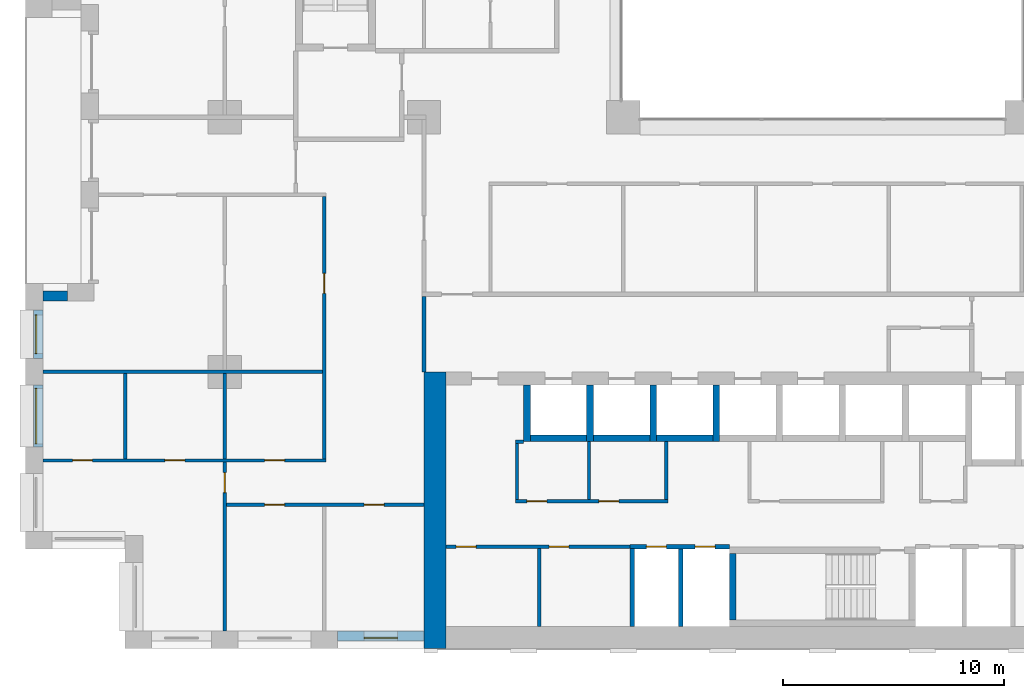
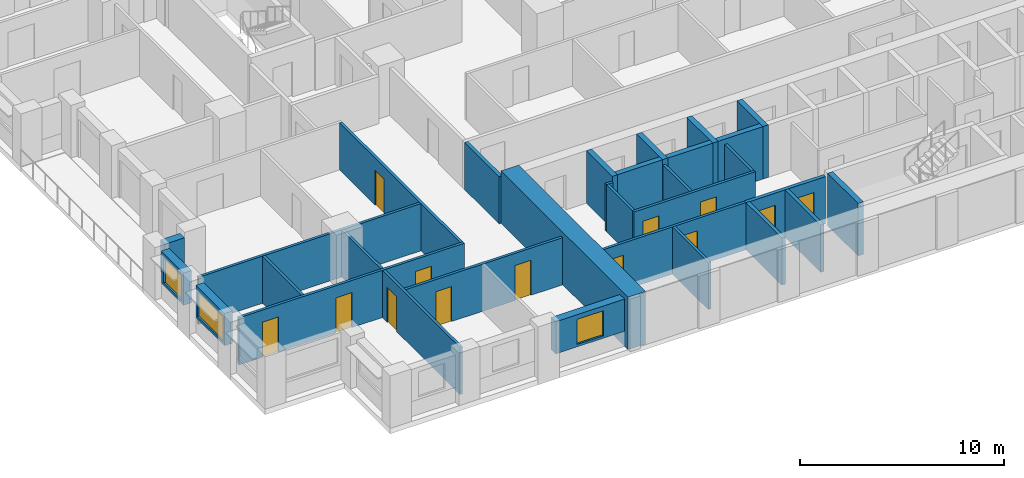
# One storey, part 9 of 19: 31 walls, 13 doors, 3 windows, 16 openings.
"""IFC4 building model written with IfcOpenShell, lengths in metres."""

from ifc_helpers import new_model, si_unit, direction, frame, frame_2d, origin, place, context, subcontext, project, spatial, rectangle, extrude, material, layer, layer_set, type_object, element, fill, save


model = new_model("IFC4")

# Units and contexts
model_context = context("Model", 3, precision=1e-05, world=origin(), true_north=direction((0.0, 1.0)))
body_context = subcontext(model_context, "Body", "Model", "MODEL_VIEW")
ifc_project = project(units=[si_unit("LENGTHUNIT", "METRE"), si_unit("AREAUNIT", "SQUARE_METRE"), si_unit("VOLUMEUNIT", "CUBIC_METRE"), si_unit("PLANEANGLEUNIT", "RADIAN"), si_unit("MASSUNIT", "GRAM", prefix="KILO")], contexts=[model_context])

# Site, building, storey
site_placement = place(None, origin())
site = spatial("IfcSite", under=ifc_project, at=site_placement, CompositionType="ELEMENT")
building_placement = place(site_placement, origin())
building = spatial("IfcBuilding", under=site, at=building_placement, Name="Brigalow Station Residences", CompositionType="ELEMENT")
storey_placement = place(building_placement, frame((0.0, 0.0, 19.5)))
storey = spatial("IfcBuildingStorey", under=building, at=storey_placement, Name="L04", CompositionType="ELEMENT", Elevation=19.5)

# Wall, opening, window
ifc_material_1 = material(Name="Clay brick masonry", Category="masonry")
ifc_layer_1 = layer(ifc_material_1, 0.449951171875)
ifc_layer_set_1 = layer_set([ifc_layer_1], Name="BRICK INFILL WALL 450")
wall_type_1 = type_object("IfcWallType", Name="BRICK INFILL WALL 450", PredefinedType="SOLIDWALL", material=ifc_layer_set_1)
wall_1_placement = place(storey_placement, frame((14.10009765625, 0.574951171875, 0.89990234375), z_axis=(0.0, 0.0, 1.0), x_axis=(1.0, 0.0, 0.0)))
wall_1 = element("IfcWall", 1, at=wall_1_placement, inside=storey, type_object=wall_type_1, Name="L04/ewall/W-L04-3", PredefinedType="SOLIDWALL", context=body_context, shape_type="SweptSolid", body=[
    extrude(rectangle(XDim=3.89990234375, YDim=0.449951171875, at=frame_2d((1.949951171875, 0.0))), origin(), (0.0, 0.0, 1.0), 1.93017578125),
])
opening_1_placement = place(wall_1_placement, frame((1.199951171875, 0.0, 0.14990234375)))
opening_1 = element("IfcOpeningElement", 2, at=opening_1_placement, cuts=wall_1, Name="Opening WT-1", PredefinedType="OPENING", context=body_context, shape_type="SweptSolid", body=[
    extrude(rectangle(XDim=1.5, YDim=1.5, at=frame_2d((0.75, 0.75))), frame((0.0, 0.23486328125, 0.0), z_axis=(0.0, -1.0, 0.0), x_axis=(1.0, 0.0, 0.0)), (0.0, 0.0, 1.0), 0.469970703125),
])
ifc_material_2 = material(Name="Anodised aluminium frame with double glazing", Category="aluminium")
window_type_1 = type_object("IfcWindowType", Name="WINDOW 1500x1500", PartitioningType="SINGLE_PANEL", PredefinedType="WINDOW", material=ifc_material_2)
window_1_placement = place(opening_1_placement, origin())
window_1 = element("IfcWindow", 3, at=window_1_placement, inside=storey, type_object=window_type_1, Name="L04/window/W-L04-3", OverallHeight=1.5, OverallWidth=1.5, PartitioningType="SINGLE_PANEL", PredefinedType="WINDOW", context=body_context, shape_type="SweptSolid", body=[
    extrude(rectangle(XDim=1.5, YDim=1.5, at=frame_2d((0.75, 0.75))), frame((0.0, -0.06494140625, 0.0), z_axis=(0.0, -1.0, 0.0), x_axis=(1.0, 0.0, 0.0)), (0.0, 0.0, 1.0), 0.06005859375),
])
fill(opening_1, window_1)

# Wall
wall_2_placement = place(storey_placement, frame((1.89990234375, 15.925048828125, 0.89990234375), z_axis=(0.0, 0.0, 1.0), x_axis=(-1.0, 0.0, 0.0)))
element("IfcWall", 4, at=wall_2_placement, inside=storey, type_object=wall_type_1, Name="L04/ewall/W-L04-50", PredefinedType="SOLIDWALL", context=body_context, shape_type="SweptSolid", body=[
    extrude(rectangle(XDim=1.099853515625, YDim=0.449951171875, at=frame_2d((0.5498046875, 0.0))), origin(), (0.0, 0.0, 1.0), 1.93017578125),
])

# Wall, opening, window
wall_3_placement = place(storey_placement, frame((0.574951171875, 15.300048828125, 0.89990234375), z_axis=(0.0, 0.0, 1.0), x_axis=(0.0, -1.0, 0.0)))
wall_3 = element("IfcWall", 5, at=wall_3_placement, inside=storey, type_object=wall_type_1, Name="L04/ewall/W-L04-51", PredefinedType="SOLIDWALL", context=body_context, shape_type="SweptSolid", body=[
    extrude(rectangle(XDim=2.199951171875, YDim=0.449951171875, at=frame_2d((1.10009765625, 0.0))), origin(), (0.0, 0.0, 1.0), 1.93017578125),
])
opening_2_placement = place(wall_3_placement, frame((0.22509765625, 0.0, 0.14990234375)))
opening_2 = element("IfcOpeningElement", 6, at=opening_2_placement, cuts=wall_3, Name="Opening WT-4", PredefinedType="OPENING", context=body_context, shape_type="SweptSolid", body=[
    extrude(rectangle(XDim=1.75, YDim=1.5, at=frame_2d((0.875, 0.75))), frame((0.0, 0.23486328125, 0.0), z_axis=(0.0, -1.0, 0.0), x_axis=(1.0, 0.0, 0.0)), (0.0, 0.0, 1.0), 0.469970703125),
])
ifc_material_3 = material(Name="Anodised aluminium frame with double glazing", Category="aluminium")
window_type_2 = type_object("IfcWindowType", Name="WINDOW 1750x1500", PartitioningType="SINGLE_PANEL", PredefinedType="WINDOW", material=ifc_material_3)
window_2_placement = place(opening_2_placement, origin())
window_2 = element("IfcWindow", 7, at=window_2_placement, inside=storey, type_object=window_type_2, Name="L04/window/W-L04-51", OverallHeight=1.5, OverallWidth=1.75, PartitioningType="SINGLE_PANEL", PredefinedType="WINDOW", context=body_context, shape_type="SweptSolid", body=[
    extrude(rectangle(XDim=1.75, YDim=1.5, at=frame_2d((0.875, 0.75))), frame((0.0, -0.06494140625, 0.0), z_axis=(0.0, -1.0, 0.0), x_axis=(1.0, 0.0, 0.0)), (0.0, 0.0, 1.0), 0.06005859375),
])
fill(opening_2, window_2)

wall_4_placement = place(storey_placement, frame((0.574951171875, 11.89990234375, 0.89990234375), z_axis=(0.0, 0.0, 1.0), x_axis=(0.0, -1.0, 0.0)))
wall_4 = element("IfcWall", 8, at=wall_4_placement, inside=storey, type_object=wall_type_1, Name="L04/ewall/W-L04-52", PredefinedType="SOLIDWALL", context=body_context, shape_type="SweptSolid", body=[
    extrude(rectangle(XDim=2.7998046875, YDim=0.449951171875, at=frame_2d((1.39990234375, 0.0))), origin(), (0.0, 0.0, 1.0), 1.93017578125),
])
opening_3_placement = place(wall_4_placement, frame((0.14990234375, 0.0, 0.14990234375)))
opening_3 = element("IfcOpeningElement", 9, at=opening_3_placement, cuts=wall_4, Name="Opening WT-5", PredefinedType="OPENING", context=body_context, shape_type="SweptSolid", body=[
    extrude(rectangle(XDim=2.5, YDim=1.5, at=frame_2d((1.25, 0.75))), frame((0.0, 0.23486328125, 0.0), z_axis=(0.0, -1.0, 0.0), x_axis=(1.0, 0.0, 0.0)), (0.0, 0.0, 1.0), 0.469970703125),
])
ifc_material_4 = material(Name="Anodised aluminium frame with double glazing", Category="aluminium")
window_type_3 = type_object("IfcWindowType", Name="WINDOW 2500x1500", PartitioningType="SINGLE_PANEL", PredefinedType="WINDOW", material=ifc_material_4)
window_3_placement = place(opening_3_placement, origin())
window_3 = element("IfcWindow", 10, at=window_3_placement, inside=storey, type_object=window_type_3, Name="L04/window/W-L04-52", OverallHeight=1.5, OverallWidth=2.5, PartitioningType="SINGLE_PANEL", PredefinedType="WINDOW", context=body_context, shape_type="SweptSolid", body=[
    extrude(rectangle(XDim=2.5, YDim=1.5, at=frame_2d((1.25, 0.75))), frame((0.0, -0.06494140625, 0.0), z_axis=(0.0, -1.0, 0.0), x_axis=(1.0, 0.0, 0.0)), (0.0, 0.0, 1.0), 0.06005859375),
])
fill(opening_3, window_3)

# Walls
ifc_material_5 = material(Name="Concrete C80", Category="concrete")
ifc_layer_2 = layer(ifc_material_5, 1.0)
ifc_layer_set_2 = layer_set([ifc_layer_2], Name="CORE SHEAR WALL 1000 C80")
wall_type_2 = type_object("IfcWallType", Name="CORE SHEAR WALL 1000 C80", PredefinedType="SHEAR", material=ifc_layer_set_2)
wall_5_placement = place(storey_placement, frame((18.5, 0.0, 0.0), z_axis=(0.0, 0.0, 1.0), x_axis=(0.0, 1.0, 0.0)))
element("IfcWall", 11, at=wall_5_placement, inside=storey, type_object=wall_type_2, Name="CORE WALL OUT-W L04", PredefinedType="SHEAR", context=body_context, shape_type="SweptSolid", body=[
    extrude(rectangle(XDim=12.5, YDim=1.0, at=frame_2d((6.25, 0.0))), origin(), (0.0, 0.0, 1.0), 3.14990234375),
])
ifc_material_6 = material(Name="Concrete C80", Category="concrete")
ifc_layer_3 = layer(ifc_material_6, 0.300048828125)
ifc_layer_set_3 = layer_set([ifc_layer_3], Name="CORE SHEAR WALL 300 C80")
wall_type_3 = type_object("IfcWallType", Name="CORE SHEAR WALL 300 C80", PredefinedType="SHEAR", material=ifc_layer_set_3)
wall_6_placement = place(storey_placement, frame((22.800048828125, 9.5, 0.0), z_axis=(0.0, 0.0, 1.0), x_axis=(1.0, 0.0, 0.0)))
element("IfcWall", 12, at=wall_6_placement, inside=storey, type_object=wall_type_3, Name="CORE WALL SH-P1-S L04", PredefinedType="SHEAR", context=body_context, shape_type="SweptSolid", body=[
    extrude(rectangle(XDim=2.550048828125, YDim=0.300048828125, at=frame_2d((1.27490234375, 0.0))), origin(), (0.0, 0.0, 1.0), 3.14990234375),
])
wall_7_placement = place(storey_placement, frame((22.64990234375, 9.35009765625, 0.0), z_axis=(0.0, 0.0, 1.0), x_axis=(0.0, 1.0, 0.0)))
element("IfcWall", 13, at=wall_7_placement, inside=storey, type_object=wall_type_3, Name="CORE WALL SH-P1-W L04", PredefinedType="SHEAR", context=body_context, shape_type="SweptSolid", body=[
    extrude(rectangle(XDim=2.5498046875, YDim=0.300048828125, at=frame_2d((1.27490234375, 0.0))), origin(), (0.0, 0.0, 1.0), 3.14990234375),
])
wall_8_placement = place(storey_placement, frame((25.64990234375, 9.5, 0.0), z_axis=(0.0, 0.0, 1.0), x_axis=(1.0, 0.0, 0.0)))
element("IfcWall", 14, at=wall_8_placement, inside=storey, type_object=wall_type_3, Name="CORE WALL SH-P2-S L04", PredefinedType="SHEAR", context=body_context, shape_type="SweptSolid", body=[
    extrude(rectangle(XDim=2.550048828125, YDim=0.300048828125, at=frame_2d((1.27490234375, 0.0))), origin(), (0.0, 0.0, 1.0), 3.14990234375),
])
wall_9_placement = place(storey_placement, frame((25.5, 9.35009765625, 0.0), z_axis=(0.0, 0.0, 1.0), x_axis=(0.0, 1.0, 0.0)))
element("IfcWall", 15, at=wall_9_placement, inside=storey, type_object=wall_type_3, Name="CORE WALL SH-P2-W L04", PredefinedType="SHEAR", context=body_context, shape_type="SweptSolid", body=[
    extrude(rectangle(XDim=2.5498046875, YDim=0.300048828125, at=frame_2d((1.27490234375, 0.0))), origin(), (0.0, 0.0, 1.0), 3.14990234375),
])
wall_10_placement = place(storey_placement, frame((28.5, 9.5, 0.0), z_axis=(0.0, 0.0, 1.0), x_axis=(1.0, 0.0, 0.0)))
element("IfcWall", 16, at=wall_10_placement, inside=storey, type_object=wall_type_3, Name="CORE WALL SH-P3-S L04", PredefinedType="SHEAR", context=body_context, shape_type="SweptSolid", body=[
    extrude(rectangle(XDim=2.550048828125, YDim=0.300048828125, at=frame_2d((1.27490234375, 0.0))), origin(), (0.0, 0.0, 1.0), 3.14990234375),
])
for number, where, z_axis, x_axis, name in (
    (17, (28.35009765625, 9.35009765625, 0.0), (0.0, 0.0, 1.0), (0.0, 1.0, 0.0), "CORE WALL SH-P3-W L04"),
    (18, (31.199951171875, 9.35009765625, 0.0), (0.0, 0.0, 1.0), (0.0, 1.0, 0.0), "CORE WALL SH-P4-W L04"),
):
    element("IfcWall", number, at=place(storey_placement, frame(where, z_axis=z_axis, x_axis=x_axis)), inside=storey, type_object=wall_type_3, Name=name, PredefinedType="SHEAR", context=body_context, shape_type="SweptSolid", body=[
        extrude(rectangle(XDim=2.5498046875, YDim=0.300048828125, at=frame_2d((1.27490234375, 0.0))), origin(), (0.0, 0.0, 1.0), 3.14990234375),
    ])
wall_11_placement = place(storey_placement, frame((31.949951171875, 1.300048828125, 0.0), z_axis=(0.0, 0.0, 1.0), x_axis=(0.0, 1.0, 0.0)))
element("IfcWall", 19, at=wall_11_placement, inside=storey, type_object=wall_type_3, Name="CORE WALL ST-S2-W L04", PredefinedType="SHEAR", context=body_context, shape_type="SweptSolid", body=[
    extrude(rectangle(XDim=3.0, YDim=0.300048828125, at=frame_2d((1.5, 0.0))), origin(), (0.0, 0.0, 1.0), 3.14990234375),
])

# Wall, openings, doors
ifc_material_7 = material(Name="Concrete blockwork", Category="masonry")
ifc_layer_4 = layer(ifc_material_7, 0.199951171875)
ifc_layer_set_4 = layer_set([ifc_layer_4], Name="FIRE RATED CORE PARTITION 200")
wall_type_4 = type_object("IfcWallType", Name="FIRE RATED CORE PARTITION 200", PredefinedType="PARTITIONING", material=ifc_layer_set_4)
wall_12_placement = place(storey_placement, frame((27.300048828125, 4.60009765625, 0.0), z_axis=(0.0, 0.0, 1.0), x_axis=(1.0, 0.0, 0.0)))
wall_12 = element("IfcWall", 20, at=wall_12_placement, inside=storey, type_object=wall_type_4, Name="PW-5017", PredefinedType="PARTITIONING", context=body_context, shape_type="SweptSolid", body=[
    extrude(rectangle(XDim=4.5, YDim=0.199951171875, at=frame_2d((2.25, 0.0))), origin(), (0.0, 0.0, 1.0), 2.830078125),
])
opening_4_placement = place(wall_12_placement, frame((0.75, 0.0, 0.0)))
opening_4 = element("IfcOpeningElement", 21, at=opening_4_placement, cuts=wall_12, Name="Opening D-5007", PredefinedType="OPENING", context=body_context, shape_type="SweptSolid", body=[
    extrude(rectangle(XDim=0.89990234375, YDim=2.10009765625, at=frame_2d((0.449951171875, 1.050048828125))), frame((0.0, 0.10986328125, 0.0), z_axis=(0.0, -1.0, 0.0), x_axis=(1.0, 0.0, 0.0)), (0.0, 0.0, 1.0), 0.219970703125),
])
opening_5_placement = place(wall_12_placement, frame((2.949951171875, 0.0, 0.0)))
opening_5 = element("IfcOpeningElement", 22, at=opening_5_placement, cuts=wall_12, Name="Opening D-5008", PredefinedType="OPENING", context=body_context, shape_type="SweptSolid", body=[
    extrude(rectangle(XDim=0.89990234375, YDim=2.10009765625, at=frame_2d((0.449951171875, 1.050048828125))), frame((0.0, 0.10986328125, 0.0), z_axis=(0.0, -1.0, 0.0), x_axis=(1.0, 0.0, 0.0)), (0.0, 0.0, 1.0), 0.219970703125),
])
ifc_material_8 = material(Name="Steel fire door leaf in steel frame", Category="steel")
door_type_1 = type_object("IfcDoorType", Name="RISER ACCESS DOOR 900 x 2100 FD120", OperationType="SINGLE_SWING_LEFT", PredefinedType="DOOR", material=ifc_material_8)
door_1_placement = place(opening_4_placement, frame((0.89990234375, 0.0, 0.0), z_axis=(0.0, 0.0, 1.0), x_axis=(-1.0, 0.0, 0.0)))
door_1 = element("IfcDoor", 23, at=door_1_placement, inside=storey, type_object=door_type_1, Name="D-5007", OperationType="SINGLE_SWING_RIGHT", OverallHeight=2.10009765625, OverallWidth=0.89990234375, PredefinedType="DOOR", context=body_context, shape_type="SweptSolid", body=[
    extrude(rectangle(XDim=0.89990234375, YDim=2.10009765625, at=frame_2d((0.449951171875, 1.050048828125))), frame((0.0, 0.02490234375, 0.0), z_axis=(0.0, -1.0, 0.0), x_axis=(1.0, 0.0, 0.0)), (0.0, 0.0, 1.0), 0.050048828125),
])
fill(opening_4, door_1)
door_2_placement = place(opening_5_placement, frame((0.89990234375, 0.0, 0.0), z_axis=(0.0, 0.0, 1.0), x_axis=(-1.0, 0.0, 0.0)))
door_2 = element("IfcDoor", 24, at=door_2_placement, inside=storey, type_object=door_type_1, Name="D-5008", OperationType="SINGLE_SWING_RIGHT", OverallHeight=2.10009765625, OverallWidth=0.89990234375, PredefinedType="DOOR", context=body_context, shape_type="SweptSolid", body=[
    extrude(rectangle(XDim=0.89990234375, YDim=2.10009765625, at=frame_2d((0.449951171875, 1.050048828125))), frame((0.0, 0.02490234375, 0.0), z_axis=(0.0, -1.0, 0.0), x_axis=(1.0, 0.0, 0.0)), (0.0, 0.0, 1.0), 0.050048828125),
])
fill(opening_5, door_2)

# Walls
wall_13_placement = place(storey_placement, frame((27.39990234375, 1.0, 0.0), z_axis=(0.0, 0.0, 1.0), x_axis=(0.0, 1.0, 0.0)))
element("IfcWall", 25, at=wall_13_placement, inside=storey, type_object=wall_type_4, Name="PW-5027", PredefinedType="PARTITIONING", context=body_context, shape_type="SweptSolid", body=[
    extrude(rectangle(XDim=3.52490234375, YDim=0.199951171875, at=frame_2d((1.762451171875, 0.0))), origin(), (0.0, 0.0, 1.0), 2.830078125),
])
wall_14_placement = place(storey_placement, frame((29.60009765625, 1.0, 0.0), z_axis=(0.0, 0.0, 1.0), x_axis=(0.0, 1.0, 0.0)))
element("IfcWall", 26, at=wall_14_placement, inside=storey, type_object=wall_type_4, Name="PW-5006", PredefinedType="PARTITIONING", context=body_context, shape_type="SweptSolid", body=[
    extrude(rectangle(XDim=3.5, YDim=0.199951171875, at=frame_2d((1.75, 0.0))), origin(), (0.0, 0.0, 1.0), 2.830078125),
])
wall_15_placement = place(storey_placement, frame((18.0, 12.5, 0.0), z_axis=(0.0, 0.0, 1.0), x_axis=(0.0, 1.0, 0.0)))
element("IfcWall", 27, at=wall_15_placement, inside=storey, type_object=wall_type_4, Name="PW-5013", PredefinedType="PARTITIONING", context=body_context, shape_type="SweptSolid", body=[
    extrude(rectangle(XDim=3.39990234375, YDim=0.199951171875, at=frame_2d((1.699951171875, 0.0))), origin(), (0.0, 0.0, 1.0), 2.830078125),
])

# Wall, openings, doors
ifc_material_9 = material(Name="Plasterboard on steel stud partition", Category="steel")
ifc_layer_5 = layer(ifc_material_9, 0.14990234375)
ifc_layer_set_5 = layer_set([ifc_layer_5], Name="FLAT PARTITION 150")
wall_type_5 = type_object("IfcWallType", Name="FLAT PARTITION 150", PredefinedType="PARTITIONING", material=ifc_layer_set_5)
wall_16_placement = place(storey_placement, frame((0.800048828125, 8.5, 0.0), z_axis=(0.0, 0.0, 1.0), x_axis=(1.0, 0.0, 0.0)))
wall_16 = element("IfcWall", 28, at=wall_16_placement, inside=storey, type_object=wall_type_5, Name="PW-1A09", PredefinedType="PARTITIONING", context=body_context, shape_type="SweptSolid", body=[
    extrude(rectangle(XDim=12.77490234375, YDim=0.14990234375, at=frame_2d((6.387451171875, 0.0))), origin(), (0.0, 0.0, 1.0), 2.830078125),
])
opening_6_placement = place(wall_16_placement, frame((10.0, 0.0, 0.0)))
opening_6 = element("IfcOpeningElement", 29, at=opening_6_placement, cuts=wall_16, Name="Opening D-1A05", PredefinedType="OPENING", context=body_context, shape_type="SweptSolid", body=[
    extrude(rectangle(XDim=0.89990234375, YDim=2.10009765625, at=frame_2d((0.449951171875, 1.050048828125))), frame((0.0, 0.0849609375, 0.0), z_axis=(0.0, -1.0, 0.0), x_axis=(1.0, 0.0, 0.0)), (0.0, 0.0, 1.0), 0.169921875),
])
opening_7_placement = place(wall_16_placement, frame((1.324951171875, 0.0, 0.0)))
opening_7 = element("IfcOpeningElement", 30, at=opening_7_placement, cuts=wall_16, Name="Opening D-1A07", PredefinedType="OPENING", context=body_context, shape_type="SweptSolid", body=[
    extrude(rectangle(XDim=0.89990234375, YDim=2.10009765625, at=frame_2d((0.449951171875, 1.050048828125))), frame((0.0, 0.0849609375, 0.0), z_axis=(0.0, -1.0, 0.0), x_axis=(1.0, 0.0, 0.0)), (0.0, 0.0, 1.0), 0.169921875),
])
opening_8_placement = place(wall_16_placement, frame((5.5, 0.0, 0.0)))
opening_8 = element("IfcOpeningElement", 31, at=opening_8_placement, cuts=wall_16, Name="Opening D-1A08", PredefinedType="OPENING", context=body_context, shape_type="SweptSolid", body=[
    extrude(rectangle(XDim=0.89990234375, YDim=2.10009765625, at=frame_2d((0.449951171875, 1.050048828125))), frame((0.0, 0.0849609375, 0.0), z_axis=(0.0, -1.0, 0.0), x_axis=(1.0, 0.0, 0.0)), (0.0, 0.0, 1.0), 0.169921875),
])
ifc_material_10 = material(Name="Solid-core timber door leaf", Category="wood")
door_type_2 = type_object("IfcDoorType", Name="INTERNAL DOOR 900 x 2100", OperationType="SINGLE_SWING_LEFT", PredefinedType="DOOR", material=ifc_material_10)
door_3_placement = place(opening_6_placement, origin())
door_3 = element("IfcDoor", 32, at=door_3_placement, inside=storey, type_object=door_type_2, Name="D-1A05", OperationType="SINGLE_SWING_LEFT", OverallHeight=2.10009765625, OverallWidth=0.89990234375, PredefinedType="DOOR", context=body_context, shape_type="SweptSolid", body=[
    extrude(rectangle(XDim=0.89990234375, YDim=2.10009765625, at=frame_2d((0.449951171875, 1.050048828125))), frame((0.0, 0.02490234375, 0.0), z_axis=(0.0, -1.0, 0.0), x_axis=(1.0, 0.0, 0.0)), (0.0, 0.0, 1.0), 0.050048828125),
])
fill(opening_6, door_3)
door_4_placement = place(opening_7_placement, origin())
door_4 = element("IfcDoor", 33, at=door_4_placement, inside=storey, type_object=door_type_2, Name="D-1A07", OperationType="SINGLE_SWING_LEFT", OverallHeight=2.10009765625, OverallWidth=0.89990234375, PredefinedType="DOOR", context=body_context, shape_type="SweptSolid", body=[
    extrude(rectangle(XDim=0.89990234375, YDim=2.10009765625, at=frame_2d((0.449951171875, 1.050048828125))), frame((0.0, 0.02490234375, 0.0), z_axis=(0.0, -1.0, 0.0), x_axis=(1.0, 0.0, 0.0)), (0.0, 0.0, 1.0), 0.050048828125),
])
fill(opening_7, door_4)
door_5_placement = place(opening_8_placement, origin())
door_5 = element("IfcDoor", 34, at=door_5_placement, inside=storey, type_object=door_type_2, Name="D-1A08", OperationType="SINGLE_SWING_RIGHT", OverallHeight=2.10009765625, OverallWidth=0.89990234375, PredefinedType="DOOR", context=body_context, shape_type="SweptSolid", body=[
    extrude(rectangle(XDim=0.89990234375, YDim=2.10009765625, at=frame_2d((0.449951171875, 1.050048828125))), frame((0.0, 0.02490234375, 0.0), z_axis=(0.0, -1.0, 0.0), x_axis=(1.0, 0.0, 0.0)), (0.0, 0.0, 1.0), 0.050048828125),
])
fill(opening_8, door_5)

# Wall
wall_17_placement = place(storey_placement, frame((0.800048828125, 12.5, 0.0), z_axis=(0.0, 0.0, 1.0), x_axis=(1.0, 0.0, 0.0)))
element("IfcWall", 35, at=wall_17_placement, inside=storey, type_object=wall_type_5, Name="PW-1A11", PredefinedType="PARTITIONING", context=body_context, shape_type="SweptSolid", body=[
    extrude(rectangle(XDim=12.625, YDim=0.14990234375, at=frame_2d((6.3125, 0.0))), origin(), (0.0, 0.0, 1.0), 2.830078125),
])

# Wall, openings, doors
wall_18_placement = place(storey_placement, frame((9.074951171875, 6.5, 0.0), z_axis=(0.0, 0.0, 1.0), x_axis=(1.0, 0.0, 0.0)))
wall_18 = element("IfcWall", 36, at=wall_18_placement, inside=storey, type_object=wall_type_5, Name="PW-1A13", PredefinedType="PARTITIONING", context=body_context, shape_type="SweptSolid", body=[
    extrude(rectangle(XDim=8.925048828125, YDim=0.14990234375, at=frame_2d((4.46240234375, 0.0))), origin(), (0.0, 0.0, 1.0), 2.830078125),
])
opening_9_placement = place(wall_18_placement, frame((1.72509765625, 0.0, 0.0)))
opening_9 = element("IfcOpeningElement", 37, at=opening_9_placement, cuts=wall_18, Name="Opening D-1A03", PredefinedType="OPENING", context=body_context, shape_type="SweptSolid", body=[
    extrude(rectangle(XDim=0.89990234375, YDim=2.10009765625, at=frame_2d((0.449951171875, 1.050048828125))), frame((0.0, 0.0849609375, 0.0), z_axis=(0.0, -1.0, 0.0), x_axis=(1.0, 0.0, 0.0)), (0.0, 0.0, 1.0), 0.169921875),
])
opening_10_placement = place(wall_18_placement, frame((6.22509765625, 0.0, 0.0)))
opening_10 = element("IfcOpeningElement", 38, at=opening_10_placement, cuts=wall_18, Name="Opening D-1A04", PredefinedType="OPENING", context=body_context, shape_type="SweptSolid", body=[
    extrude(rectangle(XDim=0.89990234375, YDim=2.10009765625, at=frame_2d((0.449951171875, 1.050048828125))), frame((0.0, 0.0849609375, 0.0), z_axis=(0.0, -1.0, 0.0), x_axis=(1.0, 0.0, 0.0)), (0.0, 0.0, 1.0), 0.169921875),
])
door_6_placement = place(opening_9_placement, frame((0.89990234375, 0.0, 0.0), z_axis=(0.0, 0.0, 1.0), x_axis=(-1.0, 0.0, 0.0)))
door_6 = element("IfcDoor", 39, at=door_6_placement, inside=storey, type_object=door_type_2, Name="D-1A03", OperationType="SINGLE_SWING_LEFT", OverallHeight=2.10009765625, OverallWidth=0.89990234375, PredefinedType="DOOR", context=body_context, shape_type="SweptSolid", body=[
    extrude(rectangle(XDim=0.89990234375, YDim=2.10009765625, at=frame_2d((0.449951171875, 1.050048828125))), frame((0.0, 0.02490234375, 0.0), z_axis=(0.0, -1.0, 0.0), x_axis=(1.0, 0.0, 0.0)), (0.0, 0.0, 1.0), 0.050048828125),
])
fill(opening_9, door_6)
door_7_placement = place(opening_10_placement, frame((0.89990234375, 0.0, 0.0), z_axis=(0.0, 0.0, 1.0), x_axis=(-1.0, 0.0, 0.0)))
door_7 = element("IfcDoor", 40, at=door_7_placement, inside=storey, type_object=door_type_2, Name="D-1A04", OperationType="SINGLE_SWING_RIGHT", OverallHeight=2.10009765625, OverallWidth=0.89990234375, PredefinedType="DOOR", context=body_context, shape_type="SweptSolid", body=[
    extrude(rectangle(XDim=0.89990234375, YDim=2.10009765625, at=frame_2d((0.449951171875, 1.050048828125))), frame((0.0, 0.02490234375, 0.0), z_axis=(0.0, -1.0, 0.0), x_axis=(1.0, 0.0, 0.0)), (0.0, 0.0, 1.0), 0.050048828125),
])
fill(opening_10, door_7)

# Wall, opening, door
wall_19_placement = place(storey_placement, frame((9.0, 0.800048828125, 0.0), z_axis=(0.0, 0.0, 1.0), x_axis=(0.0, 1.0, 0.0)))
wall_19 = element("IfcWall", 41, at=wall_19_placement, inside=storey, type_object=wall_type_5, Name="PW-1A46", PredefinedType="PARTITIONING", context=body_context, shape_type="SweptSolid", body=[
    extrude(rectangle(XDim=7.625, YDim=0.14990234375, at=frame_2d((3.8125, 0.0))), origin(), (0.0, 0.0, 1.0), 2.830078125),
])
opening_11_placement = place(wall_19_placement, frame((6.25, 0.0, 0.0)))
opening_11 = element("IfcOpeningElement", 42, at=opening_11_placement, cuts=wall_19, Name="Opening D-1A06", PredefinedType="OPENING", context=body_context, shape_type="SweptSolid", body=[
    extrude(rectangle(XDim=0.89990234375, YDim=2.10009765625, at=frame_2d((0.449951171875, 1.050048828125))), frame((0.0, 0.0849609375, 0.0), z_axis=(0.0, -1.0, 0.0), x_axis=(1.0, 0.0, 0.0)), (0.0, 0.0, 1.0), 0.169921875),
])
door_8_placement = place(opening_11_placement, origin())
door_8 = element("IfcDoor", 43, at=door_8_placement, inside=storey, type_object=door_type_2, Name="D-1A06", OperationType="SINGLE_SWING_RIGHT", OverallHeight=2.10009765625, OverallWidth=0.89990234375, PredefinedType="DOOR", context=body_context, shape_type="SweptSolid", body=[
    extrude(rectangle(XDim=0.89990234375, YDim=2.10009765625, at=frame_2d((0.449951171875, 1.050048828125))), frame((0.0, 0.02490234375, 0.0), z_axis=(0.0, -1.0, 0.0), x_axis=(1.0, 0.0, 0.0)), (0.0, 0.0, 1.0), 0.050048828125),
])
fill(opening_11, door_8)

# Walls
for number, where, z_axis, x_axis, name in (
    (44, (9.0, 8.574951171875, 0.0), (0.0, 0.0, 1.0), (0.0, 1.0, 0.0), "PW-1A47"),
    (45, (4.5, 8.574951171875, 0.0), (0.0, 0.0, 1.0), (0.0, 1.0, 0.0), "PW-1A51"),
):
    element("IfcWall", number, at=place(storey_placement, frame(where, z_axis=z_axis, x_axis=x_axis)), inside=storey, type_object=wall_type_5, Name=name, PredefinedType="PARTITIONING", context=body_context, shape_type="SweptSolid", body=[
        extrude(rectangle(XDim=3.85009765625, YDim=0.14990234375, at=frame_2d((1.925048828125, 0.0))), origin(), (0.0, 0.0, 1.0), 2.830078125),
    ])

# Wall, opening, door
wall_20_placement = place(storey_placement, frame((13.5, 8.574951171875, 0.0), z_axis=(0.0, 0.0, 1.0), x_axis=(0.0, 1.0, 0.0)))
wall_20 = element("IfcWall", 46, at=wall_20_placement, inside=storey, type_object=wall_type_5, Name="PW-1A54", PredefinedType="PARTITIONING", context=body_context, shape_type="SweptSolid", body=[
    extrude(rectangle(XDim=11.85009765625, YDim=0.14990234375, at=frame_2d((5.925048828125, 0.0))), origin(), (0.0, 0.0, 1.0), 2.830078125),
])
opening_12_placement = place(wall_20_placement, frame((7.47509765625, 0.0, 0.0)))
opening_12 = element("IfcOpeningElement", 47, at=opening_12_placement, cuts=wall_20, Name="Opening D-1A09", PredefinedType="OPENING", context=body_context, shape_type="SweptSolid", body=[
    extrude(rectangle(XDim=0.89990234375, YDim=2.10009765625, at=frame_2d((0.449951171875, 1.050048828125))), frame((0.0, 0.0849609375, 0.0), z_axis=(0.0, -1.0, 0.0), x_axis=(1.0, 0.0, 0.0)), (0.0, 0.0, 1.0), 0.169921875),
])
door_9_placement = place(opening_12_placement, origin())
door_9 = element("IfcDoor", 48, at=door_9_placement, inside=storey, type_object=door_type_2, Name="D-1A09", OperationType="SINGLE_SWING_RIGHT", OverallHeight=2.10009765625, OverallWidth=0.89990234375, PredefinedType="DOOR", context=body_context, shape_type="SweptSolid", body=[
    extrude(rectangle(XDim=0.89990234375, YDim=2.10009765625, at=frame_2d((0.449951171875, 1.050048828125))), frame((0.0, 0.02490234375, 0.0), z_axis=(0.0, -1.0, 0.0), x_axis=(1.0, 0.0, 0.0)), (0.0, 0.0, 1.0), 0.050048828125),
])
fill(opening_12, door_9)

# Wall, openings, doors
ifc_material_11 = material(Name="Plasterboard on steel studs", Category="steel")
ifc_layer_6 = layer(ifc_material_11, 0.14990234375)
ifc_layer_set_6 = layer_set([ifc_layer_6], Name="SERVICE ROOM PARTITION 150")
wall_type_6 = type_object("IfcWallType", Name="SERVICE ROOM PARTITION 150", PredefinedType="PARTITIONING", material=ifc_layer_set_6)
wall_21_placement = place(storey_placement, frame((19.0, 4.60009765625, 0.0), z_axis=(0.0, 0.0, 1.0), x_axis=(1.0, 0.0, 0.0)))
wall_21 = element("IfcWall", 49, at=wall_21_placement, inside=storey, type_object=wall_type_6, Name="PW-5019", PredefinedType="PARTITIONING", context=body_context, shape_type="SweptSolid", body=[
    extrude(rectangle(XDim=8.300048828125, YDim=0.14990234375, at=frame_2d((4.14990234375, 0.0))), origin(), (0.0, 0.0, 1.0), 2.830078125),
])
opening_13_placement = place(wall_21_placement, frame((0.449951171875, 0.0, 0.0)))
opening_13 = element("IfcOpeningElement", 50, at=opening_13_placement, cuts=wall_21, Name="Opening D-5025", PredefinedType="OPENING", context=body_context, shape_type="SweptSolid", body=[
    extrude(rectangle(XDim=0.89990234375, YDim=2.10009765625, at=frame_2d((0.449951171875, 1.050048828125))), frame((0.0, 0.0849609375, 0.0), z_axis=(0.0, -1.0, 0.0), x_axis=(1.0, 0.0, 0.0)), (0.0, 0.0, 1.0), 0.169921875),
])
opening_14_placement = place(wall_21_placement, frame((4.64990234375, 0.0, 0.0)))
opening_14 = element("IfcOpeningElement", 51, at=opening_14_placement, cuts=wall_21, Name="Opening D-5074", PredefinedType="OPENING", context=body_context, shape_type="SweptSolid", body=[
    extrude(rectangle(XDim=0.89990234375, YDim=2.10009765625, at=frame_2d((0.449951171875, 1.050048828125))), frame((0.0, 0.0849609375, 0.0), z_axis=(0.0, -1.0, 0.0), x_axis=(1.0, 0.0, 0.0)), (0.0, 0.0, 1.0), 0.169921875),
])
ifc_material_12 = material(Name="Steel door leaf in steel frame", Category="steel")
door_type_3 = type_object("IfcDoorType", Name="SERVICE ROOM DOOR 900 x 2100 FD60", OperationType="SINGLE_SWING_LEFT", PredefinedType="DOOR", material=ifc_material_12)
door_10_placement = place(opening_13_placement, frame((0.89990234375, 0.0, 0.0), z_axis=(0.0, 0.0, 1.0), x_axis=(-1.0, 0.0, 0.0)))
door_10 = element("IfcDoor", 52, at=door_10_placement, inside=storey, type_object=door_type_3, Name="D-5025", OperationType="SINGLE_SWING_RIGHT", OverallHeight=2.10009765625, OverallWidth=0.89990234375, PredefinedType="DOOR", context=body_context, shape_type="SweptSolid", body=[
    extrude(rectangle(XDim=0.89990234375, YDim=2.10009765625, at=frame_2d((0.449951171875, 1.050048828125))), frame((0.0, 0.02490234375, 0.0), z_axis=(0.0, -1.0, 0.0), x_axis=(1.0, 0.0, 0.0)), (0.0, 0.0, 1.0), 0.050048828125),
])
fill(opening_13, door_10)
door_11_placement = place(opening_14_placement, frame((0.89990234375, 0.0, 0.0), z_axis=(0.0, 0.0, 1.0), x_axis=(-1.0, 0.0, 0.0)))
door_11 = element("IfcDoor", 53, at=door_11_placement, inside=storey, type_object=door_type_3, Name="D-5074", OperationType="SINGLE_SWING_RIGHT", OverallHeight=2.10009765625, OverallWidth=0.89990234375, PredefinedType="DOOR", context=body_context, shape_type="SweptSolid", body=[
    extrude(rectangle(XDim=0.89990234375, YDim=2.10009765625, at=frame_2d((0.449951171875, 1.050048828125))), frame((0.0, 0.02490234375, 0.0), z_axis=(0.0, -1.0, 0.0), x_axis=(1.0, 0.0, 0.0)), (0.0, 0.0, 1.0), 0.050048828125),
])
fill(opening_14, door_11)

wall_22_placement = place(storey_placement, frame((22.125, 6.64990234375, 0.0), z_axis=(0.0, 0.0, 1.0), x_axis=(1.0, 0.0, 0.0)))
wall_22 = element("IfcWall", 54, at=wall_22_placement, inside=storey, type_object=wall_type_6, Name="PW-5126", PredefinedType="PARTITIONING", context=body_context, shape_type="SweptSolid", body=[
    extrude(rectangle(XDim=6.89990234375, YDim=0.14990234375, at=frame_2d((3.449951171875, 0.0))), origin(), (0.0, 0.0, 1.0), 2.830078125),
])
opening_15_placement = place(wall_22_placement, frame((0.52490234375, 0.0, 0.0)))
opening_15 = element("IfcOpeningElement", 55, at=opening_15_placement, cuts=wall_22, Name="Opening D-5021", PredefinedType="OPENING", context=body_context, shape_type="SweptSolid", body=[
    extrude(rectangle(XDim=0.89990234375, YDim=2.10009765625, at=frame_2d((0.449951171875, 1.050048828125))), frame((0.0, 0.0849609375, 0.0), z_axis=(0.0, -1.0, 0.0), x_axis=(1.0, 0.0, 0.0)), (0.0, 0.0, 1.0), 0.169921875),
])
opening_16_placement = place(wall_22_placement, frame((3.77490234375, 0.0, 0.0)))
opening_16 = element("IfcOpeningElement", 56, at=opening_16_placement, cuts=wall_22, Name="Opening D-5072", PredefinedType="OPENING", context=body_context, shape_type="SweptSolid", body=[
    extrude(rectangle(XDim=0.89990234375, YDim=2.10009765625, at=frame_2d((0.449951171875, 1.050048828125))), frame((0.0, 0.0849609375, 0.0), z_axis=(0.0, -1.0, 0.0), x_axis=(1.0, 0.0, 0.0)), (0.0, 0.0, 1.0), 0.169921875),
])
door_12_placement = place(opening_15_placement, origin())
door_12 = element("IfcDoor", 57, at=door_12_placement, inside=storey, type_object=door_type_3, Name="D-5021", OperationType="SINGLE_SWING_LEFT", OverallHeight=2.10009765625, OverallWidth=0.89990234375, PredefinedType="DOOR", context=body_context, shape_type="SweptSolid", body=[
    extrude(rectangle(XDim=0.89990234375, YDim=2.10009765625, at=frame_2d((0.449951171875, 1.050048828125))), frame((0.0, 0.02490234375, 0.0), z_axis=(0.0, -1.0, 0.0), x_axis=(1.0, 0.0, 0.0)), (0.0, 0.0, 1.0), 0.050048828125),
])
fill(opening_15, door_12)
door_13_placement = place(opening_16_placement, origin())
door_13 = element("IfcDoor", 58, at=door_13_placement, inside=storey, type_object=door_type_3, Name="D-5072", OperationType="SINGLE_SWING_LEFT", OverallHeight=2.10009765625, OverallWidth=0.89990234375, PredefinedType="DOOR", context=body_context, shape_type="SweptSolid", body=[
    extrude(rectangle(XDim=0.89990234375, YDim=2.10009765625, at=frame_2d((0.449951171875, 1.050048828125))), frame((0.0, 0.02490234375, 0.0), z_axis=(0.0, -1.0, 0.0), x_axis=(1.0, 0.0, 0.0)), (0.0, 0.0, 1.0), 0.050048828125),
])
fill(opening_16, door_13)

# Walls
wall_23_placement = place(storey_placement, frame((22.125, 9.35009765625, 0.0), z_axis=(0.0, 0.0, 1.0), x_axis=(1.0, 0.0, 0.0)))
element("IfcWall", 59, at=wall_23_placement, inside=storey, type_object=wall_type_6, Name="PW-5022", PredefinedType="PARTITIONING", context=body_context, shape_type="SweptSolid", body=[
    extrude(rectangle(XDim=0.375, YDim=0.14990234375, at=frame_2d((0.1875, 0.0))), origin(), (0.0, 0.0, 1.0), 2.830078125),
])
wall_24_placement = place(storey_placement, frame((23.199951171875, 1.0, 0.0), z_axis=(0.0, 0.0, 1.0), x_axis=(0.0, 1.0, 0.0)))
element("IfcWall", 60, at=wall_24_placement, inside=storey, type_object=wall_type_6, Name="PW-5130", PredefinedType="PARTITIONING", context=body_context, shape_type="SweptSolid", body=[
    extrude(rectangle(XDim=3.52490234375, YDim=0.14990234375, at=frame_2d((1.762451171875, 0.0))), origin(), (0.0, 0.0, 1.0), 2.830078125),
])
wall_25_placement = place(storey_placement, frame((22.199951171875, 6.72509765625, 0.0), z_axis=(0.0, 0.0, 1.0), x_axis=(0.0, 1.0, 0.0)))
element("IfcWall", 61, at=wall_25_placement, inside=storey, type_object=wall_type_6, Name="PW-5030", PredefinedType="PARTITIONING", context=body_context, shape_type="SweptSolid", body=[
    extrude(rectangle(XDim=2.5498046875, YDim=0.14990234375, at=frame_2d((1.27490234375, 0.0))), origin(), (0.0, 0.0, 1.0), 2.830078125),
])
for number, where, z_axis, x_axis, name in (
    (62, (25.449951171875, 6.72509765625, 0.0), (0.0, 0.0, 1.0), (0.0, 1.0, 0.0), "PW-5133"),
    (63, (28.949951171875, 6.72509765625, 0.0), (0.0, 0.0, 1.0), (0.0, 1.0, 0.0), "PW-5134"),
):
    element("IfcWall", number, at=place(storey_placement, frame(where, z_axis=z_axis, x_axis=x_axis)), inside=storey, type_object=wall_type_6, Name=name, PredefinedType="PARTITIONING", context=body_context, shape_type="SweptSolid", body=[
        extrude(rectangle(XDim=2.625, YDim=0.14990234375, at=frame_2d((1.3125, 0.0))), origin(), (0.0, 0.0, 1.0), 2.830078125),
    ])

save(model, "model.ifc")
